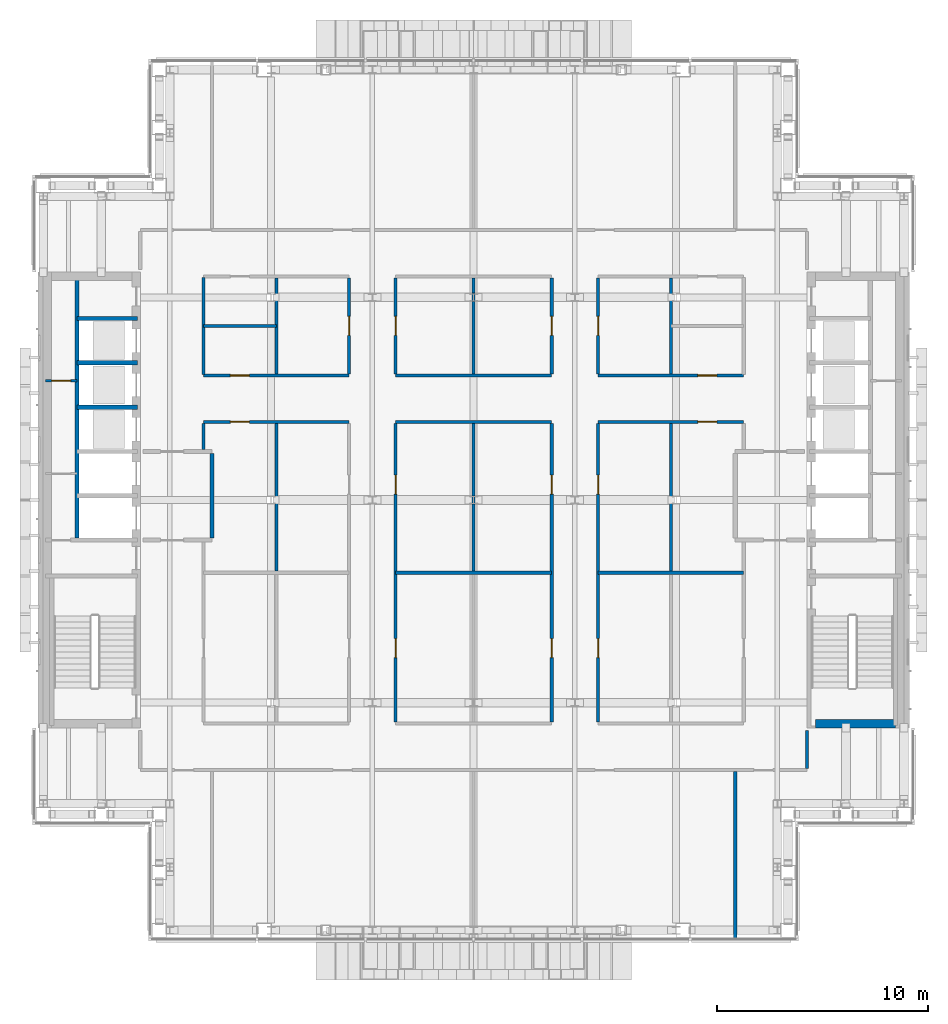
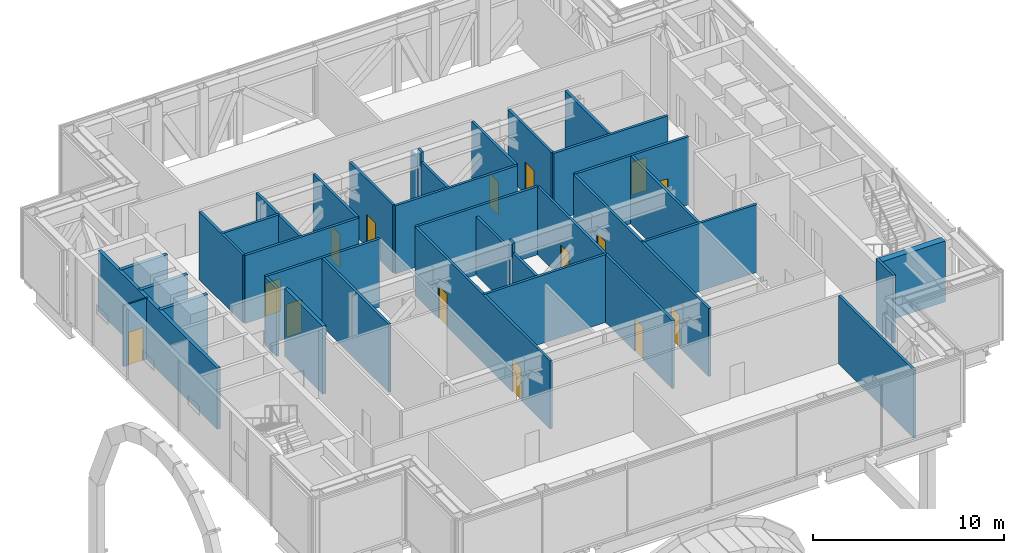
# One storey, part 12 of 26: 37 walls, 15 doors, 15 openings.
"""IFC4 building model written with IfcOpenShell, lengths in metres."""

import ifcopenshell
import ifcopenshell.guid

model = None  # the IFC model being written
_history = None  # IfcOwnerHistory: only IFC2X3 demands one
_inside = {}  # id of a spatial element -> (the spatial element, [elements in it])
_under = {}  # id of a project, library or spatial element -> (it, [spatial elements below it])
_declared = {}  # id of a project -> (the project, [libraries it declares])
_typed = {}  # id of a type object -> (the type object, [elements of that type])
_made_of = {}  # id of a material, layer set ... -> (it, [elements and type objects made of it])


def new_model(schema):
    """Start an empty IFC model of exactly this schema.

    Asked for "IFC4X3", IfcOpenShell would pick the latest addendum, in which some entities
    have other attributes; the version numbers below select the first issue.
    IFC2X3 requires an IfcOwnerHistory on every rooted entity: one is made here for all.
    """
    global model, _history
    if schema == "IFC4X3":
        model = ifcopenshell.file(schema_version=(4, 3, 0, 0))
    else:
        model = ifcopenshell.file(schema=schema)
    _inside.clear()
    _under.clear()
    _declared.clear()
    _typed.clear()
    _made_of.clear()
    _history = None
    if model.schema == "IFC2X3":
        org = make("IfcOrganization", Name="unknown")
        user = make(
            "IfcPersonAndOrganization",
            ThePerson=make("IfcPerson", FamilyName="unknown"),
            TheOrganization=org,
        )
        app = make(
            "IfcApplication",
            ApplicationDeveloper=org,
            Version="unknown",
            ApplicationFullName="unknown",
            ApplicationIdentifier="unknown",
        )
        _history = make(
            "IfcOwnerHistory",
            OwningUser=user,
            OwningApplication=app,
            ChangeAction="ADDED",
            CreationDate=0,
        )
    return model


def make(cls, **values):
    """One entity of the class cls with the attributes given. An attribute that is None is left unset."""
    return model.create_entity(
        cls, **{name: value for name, value in values.items() if value is not None}
    )


def rooted(cls, **values):
    """An entity with a GlobalId (a new one), such as an element, a storey or a relation."""
    return make(cls, GlobalId=ifcopenshell.guid.new(), OwnerHistory=_history, **values)


def si_unit(unit_type, name, prefix=None):
    """IfcSIUnit, for example si_unit("LENGTHUNIT", "METRE", prefix="MILLI")."""
    return make("IfcSIUnit", UnitType=unit_type, Prefix=prefix, Name=name)


def assignment(units):
    """IfcUnitAssignment: the units of a project."""
    return None if units is None else make("IfcUnitAssignment", Units=units)


def point(xyz):
    """IfcCartesianPoint."""
    return None if xyz is None else make("IfcCartesianPoint", Coordinates=xyz)


def direction(xyz):
    """IfcDirection."""
    return None if xyz is None else make("IfcDirection", DirectionRatios=xyz)


def frame(location, z_axis=None, x_axis=None):
    """IfcAxis2Placement3D, a coordinate frame: its origin and axes. An axis left out is left unset."""
    return make(
        "IfcAxis2Placement3D",
        Location=point(location),
        Axis=direction(z_axis),
        RefDirection=direction(x_axis),
    )


def frame_2d(location, x_axis=None):
    """IfcAxis2Placement2D, a coordinate frame in the plane: its origin and x axis."""
    return make(
        "IfcAxis2Placement2D", Location=point(location), RefDirection=direction(x_axis)
    )


def origin():
    """The frame at (0, 0, 0) with its axes left unset."""
    return frame((0.0, 0.0, 0.0))


def place(relative_to, where):
    """IfcLocalPlacement: puts the frame where relative to a parent placement (None: the world)."""
    return make(
        "IfcLocalPlacement", PlacementRelTo=relative_to, RelativePlacement=where
    )


def context(
    kind, dimensions, precision=None, world=None, true_north=None, identifier=None
):
    """IfcGeometricRepresentationContext, for example the 3D "Model" context."""
    return make(
        "IfcGeometricRepresentationContext",
        ContextIdentifier=identifier,
        ContextType=kind,
        CoordinateSpaceDimension=dimensions,
        Precision=precision,
        WorldCoordinateSystem=world,
        TrueNorth=true_north,
    )


def subcontext(parent, identifier, kind, view, scale=None):
    """IfcGeometricRepresentationSubContext, for example "Body" below "Model"."""
    return make(
        "IfcGeometricRepresentationSubContext",
        ContextIdentifier=identifier,
        ContextType=kind,
        ParentContext=parent,
        TargetScale=scale,
        TargetView=view,
    )


def project(units=None, contexts=None):
    """IfcProject with its units and contexts."""
    return rooted(
        "IfcProject",
        Name="project",
        RepresentationContexts=contexts,
        UnitsInContext=assignment(units),
    )


def spatial(cls, under=None, at=None, **own):
    """A site, building, storey or space (cls), placed at a placement, below another one or the project."""
    s = rooted(cls, ObjectPlacement=at, **own)
    if under is not None:
        _under.setdefault(under.id(), (under, []))[1].append(s)
    return s


def profile(cls, at=None, kind="AREA", **sizes):
    """A parametric profile (cls). Its sizes go by their IFC names, for example OverallWidth=200.0."""
    return make(cls, ProfileType=kind, Position=at, **sizes)


def rectangle(**sizes):
    """IfcRectangleProfileDef."""
    return profile("IfcRectangleProfileDef", **sizes)


def extrude(swept, where, along, depth):
    """IfcExtrudedAreaSolid: the profile swept, set in the frame where, extruded along a direction by depth."""
    return make(
        "IfcExtrudedAreaSolid",
        SweptArea=swept,
        Position=where,
        ExtrudedDirection=direction(along),
        Depth=depth,
    )


def shape(context_of_items, identifier, shape_type, items):
    """IfcShapeRepresentation: the items that make up one representation, for example the "Body"."""
    return make(
        "IfcShapeRepresentation",
        ContextOfItems=context_of_items,
        RepresentationIdentifier=identifier,
        RepresentationType=shape_type,
        Items=items,
    )


def material(Name=None, Category=None):
    """IfcMaterial."""
    return make("IfcMaterial", Name=Name, Category=Category)


def layer(
    of_material, thickness, ventilated=None, Name=None, Category=None, Priority=None
):
    """IfcMaterialLayer: one layer of a wall or slab, of a material (None: an air gap)."""
    return make(
        "IfcMaterialLayer",
        Material=of_material,
        LayerThickness=thickness,
        IsVentilated=ventilated,
        Name=Name,
        Category=Category,
        Priority=Priority,
    )


def layer_set(layers, Name=None):
    """IfcMaterialLayerSet."""
    return make("IfcMaterialLayerSet", MaterialLayers=layers, LayerSetName=Name)


def made_of(thing, what):
    """Note that an element or type object is made of a material, layer set ...; save() writes the relation."""
    if what is not None:
        _made_of.setdefault(what.id(), (what, []))[1].append(thing)
    return thing


def type_object(cls, material=None, **own):
    """A type object (cls), such as IfcWallType, which elements share."""
    return made_of(rooted(cls, **own), material)


def element(
    cls,
    number,
    at=None,
    inside=None,
    cuts=None,
    type_object=None,
    material=None,
    context=None,
    identifier="Body",
    shape_type=None,
    held_by="IfcProductDefinitionShape",
    body=None,
    shapes=None,
    **own,
):
    """One element of the class cls, such as IfcWall. Its Tag is "e" and its number.

    at: its placement. inside: the storey or other place that contains it. cuts: it is an
    opening in that element (IfcRelVoidsElement). A single representation is given by context,
    identifier, shape_type and body (its items); several are given by shapes. held_by: the class
    of the entity that holds the representations. save() writes the other relations.
    """
    e = rooted(cls, Tag="e%d" % number, ObjectPlacement=at, **own)
    if body is not None:
        shapes = [shape(context, identifier, shape_type, body)]
    if shapes is not None:
        e.Representation = make(held_by, Representations=shapes)
    if inside is not None:
        _inside.setdefault(inside.id(), (inside, []))[1].append(e)
    if cuts is not None:
        rooted(
            "IfcRelVoidsElement", RelatingBuildingElement=cuts, RelatedOpeningElement=e
        )
    if type_object is not None:
        _typed.setdefault(type_object.id(), (type_object, []))[1].append(e)
    return made_of(e, material)


def fill(opening, filler):
    """IfcRelFillsElement: the door or window that sits in an opening."""
    return rooted(
        "IfcRelFillsElement",
        RelatingOpeningElement=opening,
        RelatedBuildingElement=filler,
    )


def aggregate(whole, parts):
    """IfcRelAggregates: a whole, such as a stair, and the parts it consists of."""
    return rooted("IfcRelAggregates", RelatingObject=whole, RelatedObjects=parts)


def save(model, path):
    """Write the relations noted so far, then the file.

    IfcRelAggregates (storeys below a building ...), IfcRelContainedInSpatialStructure (elements
    in a storey), IfcRelDefinesByType, IfcRelAssociatesMaterial and IfcRelDeclares: one each for
    every whole, place, type object, material and project.
    """
    for whole, parts in _under.values():
        aggregate(whole, parts)
    for where, things in _inside.values():
        rooted(
            "IfcRelContainedInSpatialStructure",
            RelatedElements=things,
            RelatingStructure=where,
        )
    for kind, things in _typed.values():
        rooted("IfcRelDefinesByType", RelatedObjects=things, RelatingType=kind)
    for what, things in _made_of.values():
        rooted("IfcRelAssociatesMaterial", RelatedObjects=things, RelatingMaterial=what)
    for by, libraries in _declared.values():
        rooted("IfcRelDeclares", RelatingContext=by, RelatedDefinitions=libraries)
    model.write(path)


model = new_model("IFC4")

# Units and contexts
model_context = context("Model", 3, precision=1e-05, world=origin(), true_north=direction((0.0, 1.0)))
body_context = subcontext(model_context, "Body", "Model", "MODEL_VIEW")
ifc_project = project(units=[si_unit("LENGTHUNIT", "METRE"), si_unit("AREAUNIT", "SQUARE_METRE"), si_unit("VOLUMEUNIT", "CUBIC_METRE"), si_unit("PLANEANGLEUNIT", "RADIAN"), si_unit("MASSUNIT", "GRAM", prefix="KILO")], contexts=[model_context])

# Site, building, storey
site_placement = place(None, origin())
site = spatial("IfcSite", under=ifc_project, at=site_placement, CompositionType="ELEMENT")
building_placement = place(site_placement, origin())
building = spatial("IfcBuilding", under=site, at=building_placement, Name="Cobrizo Arcos Hotel Tower", CompositionType="ELEMENT")
storey_placement = place(building_placement, frame((0.0, 0.0, 236.5)))
storey = spatial("IfcBuildingStorey", under=building, at=storey_placement, Name="L62", CompositionType="ELEMENT", Elevation=236.5)

# Walls
ifc_material_1 = material(Name="Gypsum board partition")
ifc_layer_1 = layer(ifc_material_1, 0.14990234375)
ifc_layer_set_1 = layer_set([ifc_layer_1], Name="Corridor wall EI 60 150")
wall_type_1 = type_object("IfcWallType", Name="Corridor wall EI 60 150", PredefinedType="PARTITIONING", material=ifc_layer_set_1)
wall_1_placement = place(storey_placement, frame((-3.699951171875, -3.449951171875, 0.0), z_axis=(0.0, 0.0, 1.0), x_axis=(1.0, 0.0, 0.0)))
element("IfcWall", 1, at=wall_1_placement, inside=storey, type_object=wall_type_1, Name="Partition 008", PredefinedType="PARTITIONING", context=body_context, shape_type="SweptSolid", body=[
    extrude(rectangle(XDim=7.39990234375, YDim=0.14990234375, at=frame_2d((3.699951171875, 0.0))), origin(), (0.0, 0.0, 1.0), 4.35009765625),
])
wall_2_placement = place(storey_placement, frame((5.89990234375, -3.449951171875, 0.0), z_axis=(0.0, 0.0, 1.0), x_axis=(1.0, 0.0, 0.0)))
element("IfcWall", 2, at=wall_2_placement, inside=storey, type_object=wall_type_1, Name="Partition 009", PredefinedType="PARTITIONING", context=body_context, shape_type="SweptSolid", body=[
    extrude(rectangle(XDim=6.900146484375, YDim=0.14990234375, at=frame_2d((3.4501953125, 0.0))), origin(), (0.0, 0.0, 1.0), 4.35009765625),
])

# Wall, opening, door
wall_3_placement = place(storey_placement, frame((-12.800048828125, 3.699951171875, 0.0), z_axis=(0.0, 0.0, 1.0), x_axis=(1.0, 0.0, 0.0)))
wall_3 = element("IfcWall", 3, at=wall_3_placement, inside=storey, type_object=wall_type_1, Name="Partition 022", PredefinedType="PARTITIONING", context=body_context, shape_type="SweptSolid", body=[
    extrude(rectangle(XDim=6.900146484375, YDim=0.14990234375, at=frame_2d((3.4501953125, 0.0))), origin(), (0.0, 0.0, 1.0), 4.35009765625),
])
opening_1_placement = place(wall_3_placement, frame((1.27490234375, 0.0, 0.0)))
opening_1 = element("IfcOpeningElement", 4, at=opening_1_placement, cuts=wall_3, Name="Opening RD-29", PredefinedType="OPENING", context=body_context, shape_type="SweptSolid", body=[
    extrude(rectangle(XDim=0.89990234375, YDim=2.10009765625, at=frame_2d((0.449951171875, 1.050048828125))), frame((0.0, 0.0869140625, 0.0), z_axis=(0.0, -1.0, 0.0), x_axis=(1.0, 0.0, 0.0)), (0.0, 0.0, 1.0), 0.173828125),
])
ifc_material_2 = material(Name="Timber door leaf", Category="wood")
door_type = type_object("IfcDoorType", Name="Room door FD30 900x2100", OperationType="SINGLE_SWING_LEFT", PredefinedType="DOOR", material=ifc_material_2)
door_1_placement = place(opening_1_placement, origin())
door_1 = element("IfcDoor", 5, at=door_1_placement, inside=storey, type_object=door_type, Name="Door RD-29", OperationType="SINGLE_SWING_LEFT", OverallHeight=2.10009765625, OverallWidth=0.89990234375, PredefinedType="DOOR", context=body_context, shape_type="SweptSolid", body=[
    extrude(rectangle(XDim=0.89990234375, YDim=2.10009765625, at=frame_2d((0.449951171875, 1.050048828125))), frame((0.0, 0.02490234375, 0.0), z_axis=(0.0, -1.0, 0.0), x_axis=(1.0, 0.0, 0.0)), (0.0, 0.0, 1.0), 0.050048828125),
])
fill(opening_1, door_1)

# Wall
wall_4_placement = place(storey_placement, frame((-3.699951171875, 3.699951171875, 0.0), z_axis=(0.0, 0.0, 1.0), x_axis=(1.0, 0.0, 0.0)))
element("IfcWall", 6, at=wall_4_placement, inside=storey, type_object=wall_type_1, Name="Partition 023", PredefinedType="PARTITIONING", context=body_context, shape_type="SweptSolid", body=[
    extrude(rectangle(XDim=7.39990234375, YDim=0.14990234375, at=frame_2d((3.699951171875, 0.0))), origin(), (0.0, 0.0, 1.0), 4.35009765625),
])

# Wall, opening, door
wall_5_placement = place(storey_placement, frame((5.89990234375, 3.699951171875, 0.0), z_axis=(0.0, 0.0, 1.0), x_axis=(1.0, 0.0, 0.0)))
wall_5 = element("IfcWall", 7, at=wall_5_placement, inside=storey, type_object=wall_type_1, Name="Partition 024", PredefinedType="PARTITIONING", context=body_context, shape_type="SweptSolid", body=[
    extrude(rectangle(XDim=6.900146484375, YDim=0.14990234375, at=frame_2d((3.4501953125, 0.0))), origin(), (0.0, 0.0, 1.0), 4.35009765625),
])
opening_2_placement = place(wall_5_placement, frame((4.72509765625, 0.0, 0.0)))
opening_2 = element("IfcOpeningElement", 8, at=opening_2_placement, cuts=wall_5, Name="Opening RD-18", PredefinedType="OPENING", context=body_context, shape_type="SweptSolid", body=[
    extrude(rectangle(XDim=0.89990234375, YDim=2.10009765625, at=frame_2d((0.449951171875, 1.050048828125))), frame((0.0, 0.0869140625, 0.0), z_axis=(0.0, -1.0, 0.0), x_axis=(1.0, 0.0, 0.0)), (0.0, 0.0, 1.0), 0.173828125),
])
door_2_placement = place(opening_2_placement, origin())
door_2 = element("IfcDoor", 9, at=door_2_placement, inside=storey, type_object=door_type, Name="Door RD-18", OperationType="SINGLE_SWING_RIGHT", OverallHeight=2.10009765625, OverallWidth=0.89990234375, PredefinedType="DOOR", context=body_context, shape_type="SweptSolid", body=[
    extrude(rectangle(XDim=0.89990234375, YDim=2.10009765625, at=frame_2d((0.449951171875, 1.050048828125))), frame((0.0, 0.02490234375, 0.0), z_axis=(0.0, -1.0, 0.0), x_axis=(1.0, 0.0, 0.0)), (0.0, 0.0, 1.0), 0.050048828125),
])
fill(opening_2, door_2)

wall_6_placement = place(storey_placement, frame((-12.800048828125, 5.89990234375, 0.0), z_axis=(0.0, 0.0, 1.0), x_axis=(1.0, 0.0, 0.0)))
wall_6 = element("IfcWall", 10, at=wall_6_placement, inside=storey, type_object=wall_type_1, Name="Partition 029", PredefinedType="PARTITIONING", context=body_context, shape_type="SweptSolid", body=[
    extrude(rectangle(XDim=6.900146484375, YDim=0.14990234375, at=frame_2d((3.4501953125, 0.0))), origin(), (0.0, 0.0, 1.0), 4.35009765625),
])
opening_3_placement = place(wall_6_placement, frame((1.27490234375, 0.0, 0.0)))
opening_3 = element("IfcOpeningElement", 11, at=opening_3_placement, cuts=wall_6, Name="Opening RD-32", PredefinedType="OPENING", context=body_context, shape_type="SweptSolid", body=[
    extrude(rectangle(XDim=0.89990234375, YDim=2.10009765625, at=frame_2d((0.449951171875, 1.050048828125))), frame((0.0, 0.0869140625, 0.0), z_axis=(0.0, -1.0, 0.0), x_axis=(1.0, 0.0, 0.0)), (0.0, 0.0, 1.0), 0.173828125),
])
door_3_placement = place(opening_3_placement, origin())
door_3 = element("IfcDoor", 12, at=door_3_placement, inside=storey, type_object=door_type, Name="Door RD-32", OperationType="SINGLE_SWING_RIGHT", OverallHeight=2.10009765625, OverallWidth=0.89990234375, PredefinedType="DOOR", context=body_context, shape_type="SweptSolid", body=[
    extrude(rectangle(XDim=0.89990234375, YDim=2.10009765625, at=frame_2d((0.449951171875, 1.050048828125))), frame((0.0, 0.02490234375, 0.0), z_axis=(0.0, -1.0, 0.0), x_axis=(1.0, 0.0, 0.0)), (0.0, 0.0, 1.0), 0.050048828125),
])
fill(opening_3, door_3)

# Wall
wall_7_placement = place(storey_placement, frame((-3.699951171875, 5.89990234375, 0.0), z_axis=(0.0, 0.0, 1.0), x_axis=(1.0, 0.0, 0.0)))
element("IfcWall", 13, at=wall_7_placement, inside=storey, type_object=wall_type_1, Name="Partition 030", PredefinedType="PARTITIONING", context=body_context, shape_type="SweptSolid", body=[
    extrude(rectangle(XDim=7.39990234375, YDim=0.14990234375, at=frame_2d((3.699951171875, 0.0))), origin(), (0.0, 0.0, 1.0), 4.35009765625),
])

# Wall, opening, door
wall_8_placement = place(storey_placement, frame((5.89990234375, 5.89990234375, 0.0), z_axis=(0.0, 0.0, 1.0), x_axis=(1.0, 0.0, 0.0)))
wall_8 = element("IfcWall", 14, at=wall_8_placement, inside=storey, type_object=wall_type_1, Name="Partition 031", PredefinedType="PARTITIONING", context=body_context, shape_type="SweptSolid", body=[
    extrude(rectangle(XDim=6.900146484375, YDim=0.14990234375, at=frame_2d((3.4501953125, 0.0))), origin(), (0.0, 0.0, 1.0), 4.35009765625),
])
opening_4_placement = place(wall_8_placement, frame((4.72509765625, 0.0, 0.0)))
opening_4 = element("IfcOpeningElement", 15, at=opening_4_placement, cuts=wall_8, Name="Opening RD-20", PredefinedType="OPENING", context=body_context, shape_type="SweptSolid", body=[
    extrude(rectangle(XDim=0.89990234375, YDim=2.10009765625, at=frame_2d((0.449951171875, 1.050048828125))), frame((0.0, 0.0869140625, 0.0), z_axis=(0.0, -1.0, 0.0), x_axis=(1.0, 0.0, 0.0)), (0.0, 0.0, 1.0), 0.173828125),
])
door_4_placement = place(opening_4_placement, origin())
door_4 = element("IfcDoor", 16, at=door_4_placement, inside=storey, type_object=door_type, Name="Door RD-20", OperationType="SINGLE_SWING_LEFT", OverallHeight=2.10009765625, OverallWidth=0.89990234375, PredefinedType="DOOR", context=body_context, shape_type="SweptSolid", body=[
    extrude(rectangle(XDim=0.89990234375, YDim=2.10009765625, at=frame_2d((0.449951171875, 1.050048828125))), frame((0.0, 0.02490234375, 0.0), z_axis=(0.0, -1.0, 0.0), x_axis=(1.0, 0.0, 0.0)), (0.0, 0.0, 1.0), 0.050048828125),
])
fill(opening_4, door_4)

# Walls
wall_9_placement = place(storey_placement, frame((-12.800048828125, 8.25, 0.0), z_axis=(0.0, 0.0, 1.0), x_axis=(1.0, 0.0, 0.0)))
element("IfcWall", 17, at=wall_9_placement, inside=storey, type_object=wall_type_1, Name="Partition 034", PredefinedType="PARTITIONING", context=body_context, shape_type="SweptSolid", body=[
    extrude(rectangle(XDim=3.449951171875, YDim=0.14990234375, at=frame_2d((1.72509765625, 0.0))), origin(), (0.0, 0.0, 1.0), 4.35009765625),
])
wall_10_placement = place(storey_placement, frame((-12.800048828125, 2.39990234375, 0.0), z_axis=(0.0, 0.0, 1.0), x_axis=(0.0, 1.0, 0.0)))
element("IfcWall", 18, at=wall_10_placement, inside=storey, type_object=wall_type_1, Name="Partition 047", PredefinedType="PARTITIONING", context=body_context, shape_type="SweptSolid", body=[
    extrude(rectangle(XDim=1.22509765625, YDim=0.14990234375, at=frame_2d((0.612548828125, 0.0))), origin(), (0.0, 0.0, 1.0), 4.35009765625),
])
wall_11_placement = place(storey_placement, frame((-12.800048828125, 5.949951171875, 0.0), z_axis=(0.0, 0.0, 1.0), x_axis=(0.0, 1.0, 0.0)))
element("IfcWall", 19, at=wall_11_placement, inside=storey, type_object=wall_type_1, Name="Partition 048", PredefinedType="PARTITIONING", context=body_context, shape_type="SweptSolid", body=[
    extrude(rectangle(XDim=4.60009765625, YDim=0.14990234375, at=frame_2d((2.300048828125, 0.0))), origin(), (0.0, 0.0, 1.0), 4.35009765625),
])
wall_12_placement = place(storey_placement, frame((-9.35009765625, -3.375, 0.0), z_axis=(0.0, 0.0, 1.0), x_axis=(0.0, 1.0, 0.0)))
element("IfcWall", 20, at=wall_12_placement, inside=storey, type_object=wall_type_1, Name="Partition 053", PredefinedType="PARTITIONING", context=body_context, shape_type="SweptSolid", body=[
    extrude(rectangle(XDim=7.0, YDim=0.14990234375, at=frame_2d((3.5, 0.0))), origin(), (0.0, 0.0, 1.0), 4.35009765625),
])
wall_13_placement = place(storey_placement, frame((-9.35009765625, 5.97509765625, 0.0), z_axis=(0.0, 0.0, 1.0), x_axis=(0.0, 1.0, 0.0)))
element("IfcWall", 21, at=wall_13_placement, inside=storey, type_object=wall_type_1, Name="Partition 054", PredefinedType="PARTITIONING", context=body_context, shape_type="SweptSolid", body=[
    extrude(rectangle(XDim=4.5498046875, YDim=0.14990234375, at=frame_2d((2.27490234375, 0.0))), origin(), (0.0, 0.0, 1.0), 4.35009765625),
])

# Wall, opening, door
wall_14_placement = place(storey_placement, frame((-5.89990234375, 5.97509765625, 0.0), z_axis=(0.0, 0.0, 1.0), x_axis=(0.0, 1.0, 0.0)))
wall_14 = element("IfcWall", 22, at=wall_14_placement, inside=storey, type_object=wall_type_1, Name="Partition 056", PredefinedType="PARTITIONING", context=body_context, shape_type="SweptSolid", body=[
    extrude(rectangle(XDim=4.5498046875, YDim=0.14990234375, at=frame_2d((2.27490234375, 0.0))), origin(), (0.0, 0.0, 1.0), 4.35009765625),
])
opening_5_placement = place(wall_14_placement, frame((1.824951171875, 0.0, 0.0)))
opening_5 = element("IfcOpeningElement", 23, at=opening_5_placement, cuts=wall_14, Name="Opening RD-34", PredefinedType="OPENING", context=body_context, shape_type="SweptSolid", body=[
    extrude(rectangle(XDim=0.89990234375, YDim=2.10009765625, at=frame_2d((0.449951171875, 1.050048828125))), frame((0.0, 0.0869140625, 0.0), z_axis=(0.0, -1.0, 0.0), x_axis=(1.0, 0.0, 0.0)), (0.0, 0.0, 1.0), 0.173828125),
])
door_5_placement = place(opening_5_placement, origin())
door_5 = element("IfcDoor", 24, at=door_5_placement, inside=storey, type_object=door_type, Name="Door RD-34", OperationType="SINGLE_SWING_LEFT", OverallHeight=2.10009765625, OverallWidth=0.89990234375, PredefinedType="DOOR", context=body_context, shape_type="SweptSolid", body=[
    extrude(rectangle(XDim=0.89990234375, YDim=2.10009765625, at=frame_2d((0.449951171875, 1.050048828125))), frame((0.0, 0.02490234375, 0.0), z_axis=(0.0, -1.0, 0.0), x_axis=(1.0, 0.0, 0.0)), (0.0, 0.0, 1.0), 0.050048828125),
])
fill(opening_5, door_5)

# Wall, openings, doors
wall_15_placement = place(storey_placement, frame((-3.699951171875, -10.52490234375, 0.0), z_axis=(0.0, 0.0, 1.0), x_axis=(0.0, 1.0, 0.0)))
wall_15 = element("IfcWall", 25, at=wall_15_placement, inside=storey, type_object=wall_type_1, Name="Partition 057", PredefinedType="PARTITIONING", context=body_context, shape_type="SweptSolid", body=[
    extrude(rectangle(XDim=14.14990234375, YDim=0.14990234375, at=frame_2d((7.074951171875, 0.0))), origin(), (0.0, 0.0, 1.0), 4.35009765625),
])
opening_6_placement = place(wall_15_placement, frame((3.050048828125, 0.0, 0.0)))
opening_6 = element("IfcOpeningElement", 26, at=opening_6_placement, cuts=wall_15, Name="Opening RD-22", PredefinedType="OPENING", context=body_context, shape_type="SweptSolid", body=[
    extrude(rectangle(XDim=0.89990234375, YDim=2.10009765625, at=frame_2d((0.449951171875, 1.050048828125))), frame((0.0, 0.0869140625, 0.0), z_axis=(0.0, -1.0, 0.0), x_axis=(1.0, 0.0, 0.0)), (0.0, 0.0, 1.0), 0.173828125),
])
opening_7_placement = place(wall_15_placement, frame((10.800048828125, 0.0, 0.0)))
opening_7 = element("IfcOpeningElement", 27, at=opening_7_placement, cuts=wall_15, Name="Opening RD-23", PredefinedType="OPENING", context=body_context, shape_type="SweptSolid", body=[
    extrude(rectangle(XDim=0.89990234375, YDim=2.10009765625, at=frame_2d((0.449951171875, 1.050048828125))), frame((0.0, 0.0869140625, 0.0), z_axis=(0.0, -1.0, 0.0), x_axis=(1.0, 0.0, 0.0)), (0.0, 0.0, 1.0), 0.173828125),
])
door_6_placement = place(opening_6_placement, origin())
door_6 = element("IfcDoor", 28, at=door_6_placement, inside=storey, type_object=door_type, Name="Door RD-22", OperationType="SINGLE_SWING_RIGHT", OverallHeight=2.10009765625, OverallWidth=0.89990234375, PredefinedType="DOOR", context=body_context, shape_type="SweptSolid", body=[
    extrude(rectangle(XDim=0.89990234375, YDim=2.10009765625, at=frame_2d((0.449951171875, 1.050048828125))), frame((0.0, 0.02490234375, 0.0), z_axis=(0.0, -1.0, 0.0), x_axis=(1.0, 0.0, 0.0)), (0.0, 0.0, 1.0), 0.050048828125),
])
fill(opening_6, door_6)
door_7_placement = place(opening_7_placement, origin())
door_7 = element("IfcDoor", 29, at=door_7_placement, inside=storey, type_object=door_type, Name="Door RD-23", OperationType="SINGLE_SWING_RIGHT", OverallHeight=2.10009765625, OverallWidth=0.89990234375, PredefinedType="DOOR", context=body_context, shape_type="SweptSolid", body=[
    extrude(rectangle(XDim=0.89990234375, YDim=2.10009765625, at=frame_2d((0.449951171875, 1.050048828125))), frame((0.0, 0.02490234375, 0.0), z_axis=(0.0, -1.0, 0.0), x_axis=(1.0, 0.0, 0.0)), (0.0, 0.0, 1.0), 0.050048828125),
])
fill(opening_7, door_7)

# Wall, opening, door
wall_16_placement = place(storey_placement, frame((-3.699951171875, 5.97509765625, 0.0), z_axis=(0.0, 0.0, 1.0), x_axis=(0.0, 1.0, 0.0)))
wall_16 = element("IfcWall", 30, at=wall_16_placement, inside=storey, type_object=wall_type_1, Name="Partition 058", PredefinedType="PARTITIONING", context=body_context, shape_type="SweptSolid", body=[
    extrude(rectangle(XDim=4.5498046875, YDim=0.14990234375, at=frame_2d((2.27490234375, 0.0))), origin(), (0.0, 0.0, 1.0), 4.35009765625),
])
opening_8_placement = place(wall_16_placement, frame((1.824951171875, 0.0, 0.0)))
opening_8 = element("IfcOpeningElement", 31, at=opening_8_placement, cuts=wall_16, Name="Opening RD-26", PredefinedType="OPENING", context=body_context, shape_type="SweptSolid", body=[
    extrude(rectangle(XDim=0.89990234375, YDim=2.10009765625, at=frame_2d((0.449951171875, 1.050048828125))), frame((0.0, 0.0869140625, 0.0), z_axis=(0.0, -1.0, 0.0), x_axis=(1.0, 0.0, 0.0)), (0.0, 0.0, 1.0), 0.173828125),
])
door_8_placement = place(opening_8_placement, origin())
door_8 = element("IfcDoor", 32, at=door_8_placement, inside=storey, type_object=door_type, Name="Door RD-26", OperationType="SINGLE_SWING_RIGHT", OverallHeight=2.10009765625, OverallWidth=0.89990234375, PredefinedType="DOOR", context=body_context, shape_type="SweptSolid", body=[
    extrude(rectangle(XDim=0.89990234375, YDim=2.10009765625, at=frame_2d((0.449951171875, 1.050048828125))), frame((0.0, 0.02490234375, 0.0), z_axis=(0.0, -1.0, 0.0), x_axis=(1.0, 0.0, 0.0)), (0.0, 0.0, 1.0), 0.050048828125),
])
fill(opening_8, door_8)

# Walls
wall_17_placement = place(storey_placement, frame((0.0, -3.375, 0.0), z_axis=(0.0, 0.0, 1.0), x_axis=(0.0, 1.0, 0.0)))
element("IfcWall", 33, at=wall_17_placement, inside=storey, type_object=wall_type_1, Name="Partition 063", PredefinedType="PARTITIONING", context=body_context, shape_type="SweptSolid", body=[
    extrude(rectangle(XDim=3.174072265625, YDim=0.14990234375, at=frame_2d((1.5869140625, 0.0))), origin(), (0.0, 0.0, 1.0), 3.72802734375),
])
wall_18_placement = place(storey_placement, frame((0.0, -0.200927734375, 0.0), z_axis=(0.0, 0.0, 1.0), x_axis=(0.0, 1.0, 0.0)))
element("IfcWall", 34, at=wall_18_placement, inside=storey, type_object=wall_type_1, Name="Partition 064", PredefinedType="PARTITIONING", context=body_context, shape_type="SweptSolid", body=[
    extrude(rectangle(XDim=0.40185546875, YDim=0.14990234375, at=frame_2d((0.200927734375, 0.0))), origin(), (0.0, 0.0, 1.0), 4.35009765625),
])
wall_19_placement = place(storey_placement, frame((0.0, 0.200927734375, 0.0), z_axis=(0.0, 0.0, 1.0), x_axis=(0.0, 1.0, 0.0)))
element("IfcWall", 35, at=wall_19_placement, inside=storey, type_object=wall_type_1, Name="Partition 065", PredefinedType="PARTITIONING", context=body_context, shape_type="SweptSolid", body=[
    extrude(rectangle(XDim=3.424072265625, YDim=0.14990234375, at=frame_2d((1.7119140625, 0.0))), origin(), (0.0, 0.0, 1.0), 3.72802734375),
])
wall_20_placement = place(storey_placement, frame((0.0, 5.97509765625, 0.0), z_axis=(0.0, 0.0, 1.0), x_axis=(0.0, 1.0, 0.0)))
element("IfcWall", 36, at=wall_20_placement, inside=storey, type_object=wall_type_1, Name="Partition 066", PredefinedType="PARTITIONING", context=body_context, shape_type="SweptSolid", body=[
    extrude(rectangle(XDim=3.423828125, YDim=0.14990234375, at=frame_2d((1.7119140625, 0.0))), origin(), (0.0, 0.0, 1.0), 3.72802734375),
])
wall_21_placement = place(storey_placement, frame((0.0, 9.39892578125, 0.0), z_axis=(0.0, 0.0, 1.0), x_axis=(0.0, 1.0, 0.0)))
element("IfcWall", 37, at=wall_21_placement, inside=storey, type_object=wall_type_1, Name="Partition 067", PredefinedType="PARTITIONING", context=body_context, shape_type="SweptSolid", body=[
    extrude(rectangle(XDim=0.401123046875, YDim=0.14990234375, at=frame_2d((0.20068359375, 0.0))), origin(), (0.0, 0.0, 1.0), 4.35009765625),
])
wall_22_placement = place(storey_placement, frame((0.0, 9.800048828125, 0.0), z_axis=(0.0, 0.0, 1.0), x_axis=(0.0, 1.0, 0.0)))
element("IfcWall", 38, at=wall_22_placement, inside=storey, type_object=wall_type_1, Name="Partition 068", PredefinedType="PARTITIONING", context=body_context, shape_type="SweptSolid", body=[
    extrude(rectangle(XDim=0.724853515625, YDim=0.14990234375, at=frame_2d((0.3623046875, 0.0))), origin(), (0.0, 0.0, 1.0), 3.72802734375),
])

# Wall, openings, doors
wall_23_placement = place(storey_placement, frame((3.699951171875, -10.52490234375, 0.0), z_axis=(0.0, 0.0, 1.0), x_axis=(0.0, 1.0, 0.0)))
wall_23 = element("IfcWall", 39, at=wall_23_placement, inside=storey, type_object=wall_type_1, Name="Partition 070", PredefinedType="PARTITIONING", context=body_context, shape_type="SweptSolid", body=[
    extrude(rectangle(XDim=14.14990234375, YDim=0.14990234375, at=frame_2d((7.074951171875, 0.0))), origin(), (0.0, 0.0, 1.0), 4.35009765625),
])
opening_9_placement = place(wall_23_placement, frame((3.050048828125, 0.0, 0.0)))
opening_9 = element("IfcOpeningElement", 40, at=opening_9_placement, cuts=wall_23, Name="Opening RD-24", PredefinedType="OPENING", context=body_context, shape_type="SweptSolid", body=[
    extrude(rectangle(XDim=0.89990234375, YDim=2.10009765625, at=frame_2d((0.449951171875, 1.050048828125))), frame((0.0, 0.0869140625, 0.0), z_axis=(0.0, -1.0, 0.0), x_axis=(1.0, 0.0, 0.0)), (0.0, 0.0, 1.0), 0.173828125),
])
opening_10_placement = place(wall_23_placement, frame((10.800048828125, 0.0, 0.0)))
opening_10 = element("IfcOpeningElement", 41, at=opening_10_placement, cuts=wall_23, Name="Opening RD-25", PredefinedType="OPENING", context=body_context, shape_type="SweptSolid", body=[
    extrude(rectangle(XDim=0.89990234375, YDim=2.10009765625, at=frame_2d((0.449951171875, 1.050048828125))), frame((0.0, 0.0869140625, 0.0), z_axis=(0.0, -1.0, 0.0), x_axis=(1.0, 0.0, 0.0)), (0.0, 0.0, 1.0), 0.173828125),
])
door_9_placement = place(opening_9_placement, origin())
door_9 = element("IfcDoor", 42, at=door_9_placement, inside=storey, type_object=door_type, Name="Door RD-24", OperationType="SINGLE_SWING_LEFT", OverallHeight=2.10009765625, OverallWidth=0.89990234375, PredefinedType="DOOR", context=body_context, shape_type="SweptSolid", body=[
    extrude(rectangle(XDim=0.89990234375, YDim=2.10009765625, at=frame_2d((0.449951171875, 1.050048828125))), frame((0.0, 0.02490234375, 0.0), z_axis=(0.0, -1.0, 0.0), x_axis=(1.0, 0.0, 0.0)), (0.0, 0.0, 1.0), 0.050048828125),
])
fill(opening_9, door_9)
door_10_placement = place(opening_10_placement, origin())
door_10 = element("IfcDoor", 43, at=door_10_placement, inside=storey, type_object=door_type, Name="Door RD-25", OperationType="SINGLE_SWING_RIGHT", OverallHeight=2.10009765625, OverallWidth=0.89990234375, PredefinedType="DOOR", context=body_context, shape_type="SweptSolid", body=[
    extrude(rectangle(XDim=0.89990234375, YDim=2.10009765625, at=frame_2d((0.449951171875, 1.050048828125))), frame((0.0, 0.02490234375, 0.0), z_axis=(0.0, -1.0, 0.0), x_axis=(1.0, 0.0, 0.0)), (0.0, 0.0, 1.0), 0.050048828125),
])
fill(opening_10, door_10)

# Wall, opening, door
wall_24_placement = place(storey_placement, frame((3.699951171875, 5.97509765625, 0.0), z_axis=(0.0, 0.0, 1.0), x_axis=(0.0, 1.0, 0.0)))
wall_24 = element("IfcWall", 44, at=wall_24_placement, inside=storey, type_object=wall_type_1, Name="Partition 071", PredefinedType="PARTITIONING", context=body_context, shape_type="SweptSolid", body=[
    extrude(rectangle(XDim=4.5498046875, YDim=0.14990234375, at=frame_2d((2.27490234375, 0.0))), origin(), (0.0, 0.0, 1.0), 4.35009765625),
])
opening_11_placement = place(wall_24_placement, frame((1.824951171875, 0.0, 0.0)))
opening_11 = element("IfcOpeningElement", 45, at=opening_11_placement, cuts=wall_24, Name="Opening RD-27", PredefinedType="OPENING", context=body_context, shape_type="SweptSolid", body=[
    extrude(rectangle(XDim=0.89990234375, YDim=2.10009765625, at=frame_2d((0.449951171875, 1.050048828125))), frame((0.0, 0.0869140625, 0.0), z_axis=(0.0, -1.0, 0.0), x_axis=(1.0, 0.0, 0.0)), (0.0, 0.0, 1.0), 0.173828125),
])
door_11_placement = place(opening_11_placement, origin())
door_11 = element("IfcDoor", 46, at=door_11_placement, inside=storey, type_object=door_type, Name="Door RD-27", OperationType="SINGLE_SWING_RIGHT", OverallHeight=2.10009765625, OverallWidth=0.89990234375, PredefinedType="DOOR", context=body_context, shape_type="SweptSolid", body=[
    extrude(rectangle(XDim=0.89990234375, YDim=2.10009765625, at=frame_2d((0.449951171875, 1.050048828125))), frame((0.0, 0.02490234375, 0.0), z_axis=(0.0, -1.0, 0.0), x_axis=(1.0, 0.0, 0.0)), (0.0, 0.0, 1.0), 0.050048828125),
])
fill(opening_11, door_11)

# Wall, openings, doors
wall_25_placement = place(storey_placement, frame((5.89990234375, -10.52490234375, 0.0), z_axis=(0.0, 0.0, 1.0), x_axis=(0.0, 1.0, 0.0)))
wall_25 = element("IfcWall", 47, at=wall_25_placement, inside=storey, type_object=wall_type_1, Name="Partition 072", PredefinedType="PARTITIONING", context=body_context, shape_type="SweptSolid", body=[
    extrude(rectangle(XDim=14.14990234375, YDim=0.14990234375, at=frame_2d((7.074951171875, 0.0))), origin(), (0.0, 0.0, 1.0), 4.35009765625),
])
opening_12_placement = place(wall_25_placement, frame((3.050048828125, 0.0, 0.0)))
opening_12 = element("IfcOpeningElement", 48, at=opening_12_placement, cuts=wall_25, Name="Opening RD-15", PredefinedType="OPENING", context=body_context, shape_type="SweptSolid", body=[
    extrude(rectangle(XDim=0.89990234375, YDim=2.10009765625, at=frame_2d((0.449951171875, 1.050048828125))), frame((0.0, 0.0869140625, 0.0), z_axis=(0.0, -1.0, 0.0), x_axis=(1.0, 0.0, 0.0)), (0.0, 0.0, 1.0), 0.173828125),
])
opening_13_placement = place(wall_25_placement, frame((10.800048828125, 0.0, 0.0)))
opening_13 = element("IfcOpeningElement", 49, at=opening_13_placement, cuts=wall_25, Name="Opening RD-16", PredefinedType="OPENING", context=body_context, shape_type="SweptSolid", body=[
    extrude(rectangle(XDim=0.89990234375, YDim=2.10009765625, at=frame_2d((0.449951171875, 1.050048828125))), frame((0.0, 0.0869140625, 0.0), z_axis=(0.0, -1.0, 0.0), x_axis=(1.0, 0.0, 0.0)), (0.0, 0.0, 1.0), 0.173828125),
])
door_12_placement = place(opening_12_placement, origin())
door_12 = element("IfcDoor", 50, at=door_12_placement, inside=storey, type_object=door_type, Name="Door RD-15", OperationType="SINGLE_SWING_LEFT", OverallHeight=2.10009765625, OverallWidth=0.89990234375, PredefinedType="DOOR", context=body_context, shape_type="SweptSolid", body=[
    extrude(rectangle(XDim=0.89990234375, YDim=2.10009765625, at=frame_2d((0.449951171875, 1.050048828125))), frame((0.0, 0.02490234375, 0.0), z_axis=(0.0, -1.0, 0.0), x_axis=(1.0, 0.0, 0.0)), (0.0, 0.0, 1.0), 0.050048828125),
])
fill(opening_12, door_12)
door_13_placement = place(opening_13_placement, origin())
door_13 = element("IfcDoor", 51, at=door_13_placement, inside=storey, type_object=door_type, Name="Door RD-16", OperationType="SINGLE_SWING_LEFT", OverallHeight=2.10009765625, OverallWidth=0.89990234375, PredefinedType="DOOR", context=body_context, shape_type="SweptSolid", body=[
    extrude(rectangle(XDim=0.89990234375, YDim=2.10009765625, at=frame_2d((0.449951171875, 1.050048828125))), frame((0.0, 0.02490234375, 0.0), z_axis=(0.0, -1.0, 0.0), x_axis=(1.0, 0.0, 0.0)), (0.0, 0.0, 1.0), 0.050048828125),
])
fill(opening_13, door_13)

# Wall, opening, door
wall_26_placement = place(storey_placement, frame((5.89990234375, 5.97509765625, 0.0), z_axis=(0.0, 0.0, 1.0), x_axis=(0.0, 1.0, 0.0)))
wall_26 = element("IfcWall", 52, at=wall_26_placement, inside=storey, type_object=wall_type_1, Name="Partition 073", PredefinedType="PARTITIONING", context=body_context, shape_type="SweptSolid", body=[
    extrude(rectangle(XDim=4.5498046875, YDim=0.14990234375, at=frame_2d((2.27490234375, 0.0))), origin(), (0.0, 0.0, 1.0), 4.35009765625),
])
opening_14_placement = place(wall_26_placement, frame((1.824951171875, 0.0, 0.0)))
opening_14 = element("IfcOpeningElement", 53, at=opening_14_placement, cuts=wall_26, Name="Opening RD-19", PredefinedType="OPENING", context=body_context, shape_type="SweptSolid", body=[
    extrude(rectangle(XDim=0.89990234375, YDim=2.10009765625, at=frame_2d((0.449951171875, 1.050048828125))), frame((0.0, 0.0869140625, 0.0), z_axis=(0.0, -1.0, 0.0), x_axis=(1.0, 0.0, 0.0)), (0.0, 0.0, 1.0), 0.173828125),
])
door_14_placement = place(opening_14_placement, origin())
door_14 = element("IfcDoor", 54, at=door_14_placement, inside=storey, type_object=door_type, Name="Door RD-19", OperationType="SINGLE_SWING_RIGHT", OverallHeight=2.10009765625, OverallWidth=0.89990234375, PredefinedType="DOOR", context=body_context, shape_type="SweptSolid", body=[
    extrude(rectangle(XDim=0.89990234375, YDim=2.10009765625, at=frame_2d((0.449951171875, 1.050048828125))), frame((0.0, 0.02490234375, 0.0), z_axis=(0.0, -1.0, 0.0), x_axis=(1.0, 0.0, 0.0)), (0.0, 0.0, 1.0), 0.050048828125),
])
fill(opening_14, door_14)

# Walls
wall_27_placement = place(storey_placement, frame((9.35009765625, -3.375, 0.0), z_axis=(0.0, 0.0, 1.0), x_axis=(0.0, 1.0, 0.0)))
element("IfcWall", 55, at=wall_27_placement, inside=storey, type_object=wall_type_1, Name="Partition 075", PredefinedType="PARTITIONING", context=body_context, shape_type="SweptSolid", body=[
    extrude(rectangle(XDim=7.0, YDim=0.14990234375, at=frame_2d((3.5, 0.0))), origin(), (0.0, 0.0, 1.0), 4.35009765625),
])
wall_28_placement = place(storey_placement, frame((9.35009765625, 5.97509765625, 0.0), z_axis=(0.0, 0.0, 1.0), x_axis=(0.0, 1.0, 0.0)))
element("IfcWall", 56, at=wall_28_placement, inside=storey, type_object=wall_type_1, Name="Partition 076", PredefinedType="PARTITIONING", context=body_context, shape_type="SweptSolid", body=[
    extrude(rectangle(XDim=4.5498046875, YDim=0.14990234375, at=frame_2d((2.27490234375, 0.0))), origin(), (0.0, 0.0, 1.0), 4.35009765625),
])
wall_29_placement = place(storey_placement, frame((12.39990234375, -20.780029296875, 0.0), z_axis=(0.0, 0.0, 1.0), x_axis=(0.0, 1.0, 0.0)))
element("IfcWall", 57, at=wall_29_placement, inside=storey, type_object=wall_type_1, Name="Partition 077", PredefinedType="PARTITIONING", context=body_context, shape_type="SweptSolid", body=[
    extrude(rectangle(XDim=7.905029296875, YDim=0.14990234375, at=frame_2d((3.95263671875, 0.0))), origin(), (0.0, 0.0, 1.0), 4.35009765625),
])
wall_30_placement = place(storey_placement, frame((15.800048828125, -12.72509765625, 0.0), z_axis=(0.0, 0.0, 1.0), x_axis=(0.0, 1.0, 0.0)))
element("IfcWall", 58, at=wall_30_placement, inside=storey, type_object=wall_type_1, Name="Partition 083", PredefinedType="PARTITIONING", context=body_context, shape_type="SweptSolid", body=[
    extrude(rectangle(XDim=1.80517578125, YDim=0.14990234375, at=frame_2d((0.902587890625, 0.0))), origin(), (0.0, 0.0, 1.0), 4.35009765625),
])

# Wall, opening, door
ifc_layer_2 = layer(ifc_material_1, 0.10009765625)
ifc_layer_set_2 = layer_set([ifc_layer_2], Name="Partition EI 30 100")
wall_type_2 = type_object("IfcWallType", Name="Partition EI 30 100", PredefinedType="PARTITIONING", material=ifc_layer_set_2)
wall_31_placement = place(storey_placement, frame((-20.280029296875, 5.64990234375, 0.0), z_axis=(0.0, 0.0, 1.0), x_axis=(1.0, 0.0, 0.0)))
wall_31 = element("IfcWall", 59, at=wall_31_placement, inside=storey, type_object=wall_type_2, Name="Partition 027", PredefinedType="PARTITIONING", context=body_context, shape_type="SweptSolid", body=[
    extrude(rectangle(XDim=1.47998046875, YDim=0.10009765625, at=frame_2d((0.739990234375, 0.0))), origin(), (0.0, 0.0, 1.0), 3.89990234375),
])
opening_15_placement = place(wall_31_placement, frame((0.280029296875, 0.0, 0.0)))
opening_15 = element("IfcOpeningElement", 60, at=opening_15_placement, cuts=wall_31, Name="Opening RD-04", PredefinedType="OPENING", context=body_context, shape_type="SweptSolid", body=[
    extrude(rectangle(XDim=0.89990234375, YDim=2.10009765625, at=frame_2d((0.449951171875, 1.050048828125))), frame((0.0, 0.06201171875, 0.0), z_axis=(0.0, -1.0, 0.0), x_axis=(1.0, 0.0, 0.0)), (0.0, 0.0, 1.0), 0.1240234375),
])
door_15_placement = place(opening_15_placement, origin())
door_15 = element("IfcDoor", 61, at=door_15_placement, inside=storey, type_object=door_type, Name="Door RD-04", OperationType="SINGLE_SWING_LEFT", OverallHeight=2.10009765625, OverallWidth=0.89990234375, PredefinedType="DOOR", context=body_context, shape_type="SweptSolid", body=[
    extrude(rectangle(XDim=0.89990234375, YDim=2.10009765625, at=frame_2d((0.449951171875, 1.050048828125))), frame((0.0, 0.02490234375, 0.0), z_axis=(0.0, -1.0, 0.0), x_axis=(1.0, 0.0, 0.0)), (0.0, 0.0, 1.0), 0.050048828125),
])
fill(opening_15, door_15)

# Walls
ifc_material_3 = material(Name="Concrete f'c 40 MPa", Category="concrete")
ifc_layer_3 = layer(ifc_material_3, 0.39990234375)
ifc_layer_set_3 = layer_set([ifc_layer_3], Name="RC core wall 400 f'c 40")
wall_type_3 = type_object("IfcWallType", Name="RC core wall 400 f'c 40", PredefinedType="SHEAR", material=ifc_layer_set_3)
wall_32_placement = place(storey_placement, frame((16.199951171875, -10.60009765625, 0.0), z_axis=(0.0, 0.0, 1.0), x_axis=(1.0, 0.0, 0.0)))
element("IfcWall", 62, at=wall_32_placement, inside=storey, type_object=wall_type_3, Name="Core wall CW4, east core, south end, L62", PredefinedType="SHEAR", context=body_context, shape_type="SweptSolid", body=[
    extrude(rectangle(XDim=3.800048828125, YDim=0.39990234375, at=frame_2d((1.89990234375, 0.0))), origin(), (0.0, 0.0, 1.0), 3.89990234375),
])
ifc_layer_4 = layer(ifc_material_1, 0.199951171875)
ifc_layer_set_4 = layer_set([ifc_layer_4], Name="Shaft wall EI 120 200")
wall_type_4 = type_object("IfcWallType", Name="Shaft wall EI 120 200", PredefinedType="PARTITIONING", material=ifc_layer_set_4)
for number, where, z_axis, x_axis, name in (
    (63, (-18.800048828125, 4.39990234375, 0.0), (0.0, 0.0, 1.0), (1.0, 0.0, 0.0), "Partition 025"),
    (64, (-18.800048828125, 6.5, 0.0), (0.0, 0.0, 1.0), (1.0, 0.0, 0.0), "Partition 032"),
    (65, (-18.800048828125, 8.60009765625, 0.0), (0.0, 0.0, 1.0), (1.0, 0.0, 0.0), "Partition 036"),
):
    element("IfcWall", number, at=place(storey_placement, frame(where, z_axis=z_axis, x_axis=x_axis)), inside=storey, type_object=wall_type_4, Name=name, PredefinedType="PARTITIONING", context=body_context, shape_type="SweptSolid", body=[
        extrude(rectangle(XDim=2.880126953125, YDim=0.199951171875, at=frame_2d((1.43994140625, 0.0))), origin(), (0.0, 0.0, 1.0), 3.89990234375),
    ])
wall_33_placement = place(storey_placement, frame((-18.800048828125, -1.800048828125, 0.0), z_axis=(0.0, 0.0, 1.0), x_axis=(0.0, 1.0, 0.0)))
element("IfcWall", 66, at=wall_33_placement, inside=storey, type_object=wall_type_4, Name="Partition 043", PredefinedType="PARTITIONING", context=body_context, shape_type="SweptSolid", body=[
    extrude(rectangle(XDim=12.47998046875, YDim=0.199951171875, at=frame_2d((6.239990234375, 0.0))), origin(), (0.0, 0.0, 1.0), 3.89990234375),
])
wall_34_placement = place(storey_placement, frame((-12.39990234375, -1.800048828125, 0.0), z_axis=(0.0, 0.0, 1.0), x_axis=(0.0, 1.0, 0.0)))
element("IfcWall", 67, at=wall_34_placement, inside=storey, type_object=wall_type_4, Name="Partition 050", PredefinedType="PARTITIONING", context=body_context, shape_type="SweptSolid", body=[
    extrude(rectangle(XDim=4.0, YDim=0.199951171875, at=frame_2d((2.0, 0.0))), origin(), (0.0, 0.0, 1.0), 4.35009765625),
])

save(model, "model.ifc")
